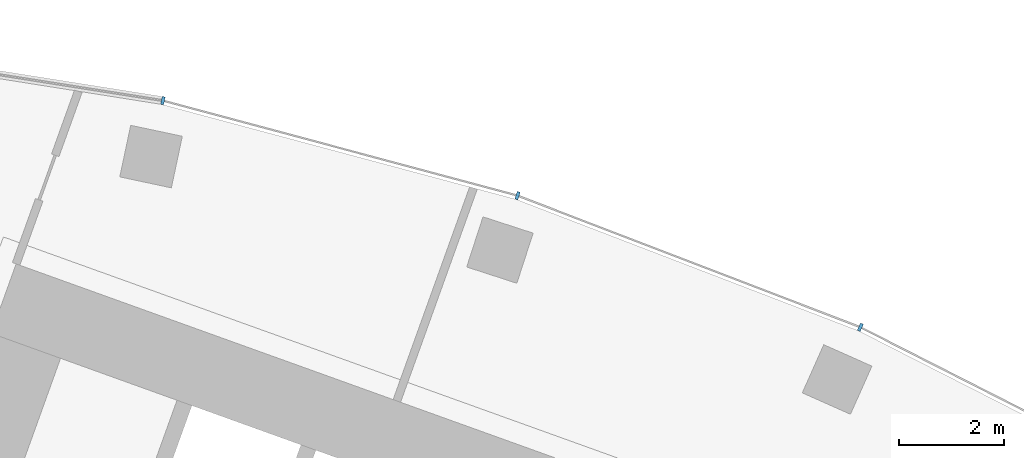
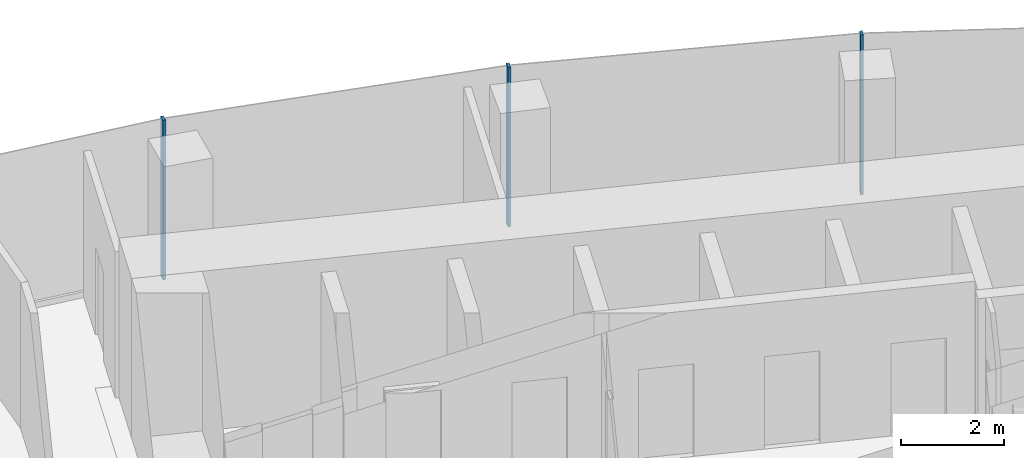
# One storey, part 10 of 20: 3 members, 1 element without a shape of its own.
"""IFC4 building model written with IfcOpenShell, lengths in metres."""

from ifc_helpers import new_model, si_unit, direction, frame, origin, origin_2d, place, context, subcontext, project, spatial, rectangle, extrude, material, layer, layer_set, material_profile, profile_set, type_object, element, aggregate, save


model = new_model("IFC4")

# Units and contexts
model_context = context("Model", 3, precision=1e-05, world=origin(), true_north=direction((0.0, 1.0)))
body_context = subcontext(model_context, "Body", "Model", "MODEL_VIEW")
ifc_project = project(units=[si_unit("LENGTHUNIT", "METRE"), si_unit("AREAUNIT", "SQUARE_METRE"), si_unit("VOLUMEUNIT", "CUBIC_METRE"), si_unit("PLANEANGLEUNIT", "RADIAN"), si_unit("MASSUNIT", "GRAM", prefix="KILO")], contexts=[model_context])

# Site, building, storey
site_placement = place(None, origin())
site = spatial("IfcSite", under=ifc_project, at=site_placement, CompositionType="ELEMENT")
building_placement = place(site_placement, origin())
building = spatial("IfcBuilding", under=site, at=building_placement, Name="Stone Belt Terrace Tower", CompositionType="ELEMENT")
storey_placement = place(building_placement, frame((0.0, 0.0, 147.800048828125)))
storey = spatial("IfcBuildingStorey", under=building, at=storey_placement, Name="L35", CompositionType="ELEMENT", Elevation=147.800048828125)

# Curtain wall, members
ifc_material = material(Name="Aluminium 6063-T6 anodised frame", Category="aluminium")
ifc_layer = layer(ifc_material, 0.14990234375)
ifc_layer_set = layer_set([ifc_layer], Name="CW-A unitised convex-face curtain wall")
curtain_wall_type = type_object("IfcCurtainWallType", Name="CW-A unitised convex-face curtain wall", PredefinedType="NOTDEFINED", material=ifc_layer_set)
curtain_wall_placement = place(storey_placement, origin())
curtain_wall = element("IfcCurtainWall", 1, at=curtain_wall_placement, inside=storey, type_object=curtain_wall_type, Name="CW-A convex face L35", PredefinedType="NOTDEFINED")
ifc_material_profile = material_profile(ifc_material, rectangle(XDim=0.14990234375, YDim=0.06005859375, at=origin_2d()), Name="Aluminium 6063-T6 60x150")
ifc_profile_set = profile_set([ifc_material_profile], Name="Aluminium 6063-T6 anodised frame")
member_type = type_object("IfcMemberType", Name="CW-A mullion 60 x 150", PredefinedType="MULLION", material=ifc_profile_set)
member_1_placement = place(storey_placement, frame((27.07861328125, 60.8193359375, 0.0), z_axis=(0.0, 0.0, 1.0), x_axis=(-0.406736643076, -0.913545457643, 0.0)))
member_1 = element("IfcMember", 2, at=member_1_placement, type_object=member_type, Name="CW-A mullion 5", PredefinedType="MULLION", context=body_context, shape_type="SweptSolid", body=[
    extrude(rectangle(XDim=0.14990234375, YDim=0.06005859375, at=origin_2d()), origin(), (0.0, 0.0, 1.0), 3.800048828125),
])
member_2_placement = place(storey_placement, frame((20.57275390625, 63.316650390625, 0.0), z_axis=(0.0, 0.0, 1.0), x_axis=(-0.309016994375, -0.951056516295, 0.0)))
member_2 = element("IfcMember", 3, at=member_2_placement, type_object=member_type, Name="CW-A mullion 6", PredefinedType="MULLION", context=body_context, shape_type="SweptSolid", body=[
    extrude(rectangle(XDim=0.14990234375, YDim=0.06005859375, at=origin_2d()), origin(), (0.0, 0.0, 1.0), 3.800048828125),
])
member_3_placement = place(storey_placement, frame((13.841796875, 65.120361328125, 0.0), z_axis=(0.0, 0.0, 1.0), x_axis=(-0.207911690818, -0.978147600734, 0.0)))
member_3 = element("IfcMember", 4, at=member_3_placement, type_object=member_type, Name="CW-A mullion 7", PredefinedType="MULLION", context=body_context, shape_type="SweptSolid", body=[
    extrude(rectangle(XDim=0.14990234375, YDim=0.06005859375, at=origin_2d()), origin(), (0.0, 0.0, 1.0), 3.800048828125),
])
aggregate(curtain_wall, [member_1, member_2, member_3])

save(model, "model.ifc")
